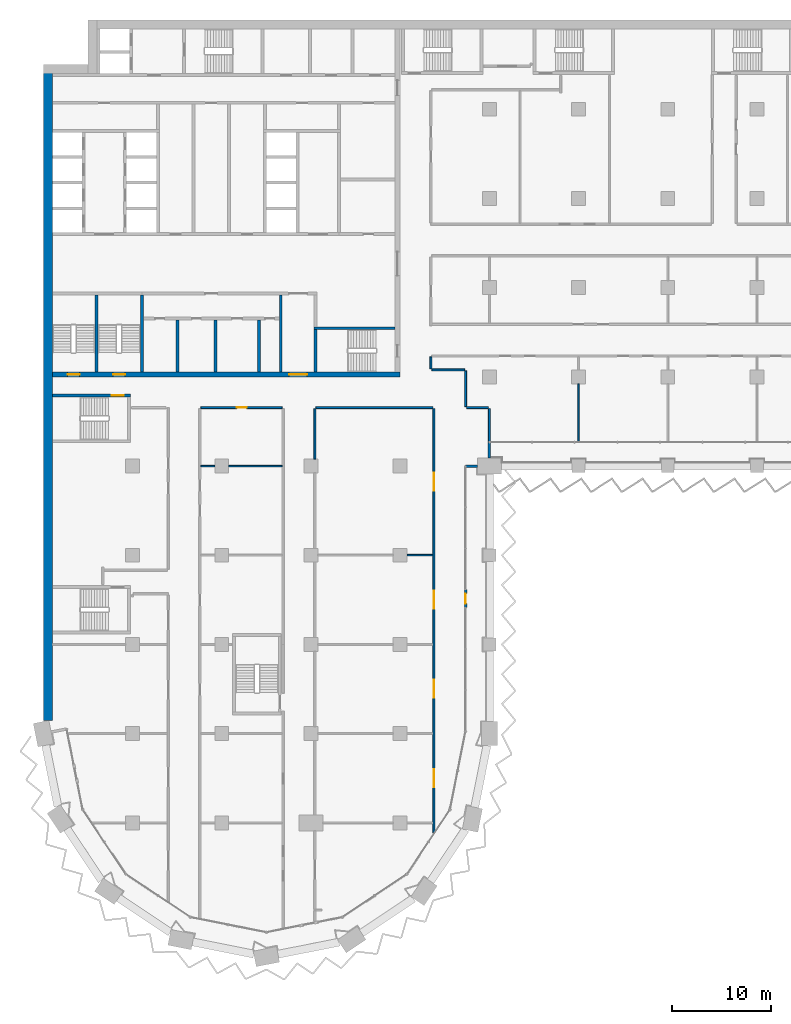
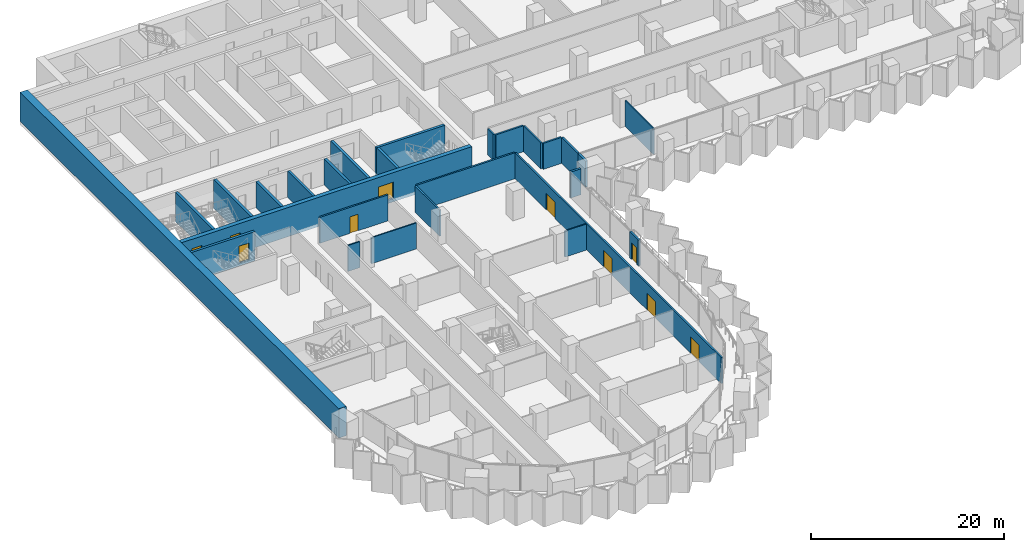
# One storey, part 12 of 28: 27 walls, 10 doors, 10 openings.
"""IFC4 building model written with IfcOpenShell, lengths in metres."""

import ifcopenshell
import ifcopenshell.guid

model = None  # the IFC model being written
_history = None  # IfcOwnerHistory: only IFC2X3 demands one
_inside = {}  # id of a spatial element -> (the spatial element, [elements in it])
_under = {}  # id of a project, library or spatial element -> (it, [spatial elements below it])
_declared = {}  # id of a project -> (the project, [libraries it declares])
_typed = {}  # id of a type object -> (the type object, [elements of that type])
_made_of = {}  # id of a material, layer set ... -> (it, [elements and type objects made of it])


def new_model(schema):
    """Start an empty IFC model of exactly this schema.

    Asked for "IFC4X3", IfcOpenShell would pick the latest addendum, in which some entities
    have other attributes; the version numbers below select the first issue.
    IFC2X3 requires an IfcOwnerHistory on every rooted entity: one is made here for all.
    """
    global model, _history
    if schema == "IFC4X3":
        model = ifcopenshell.file(schema_version=(4, 3, 0, 0))
    else:
        model = ifcopenshell.file(schema=schema)
    _inside.clear()
    _under.clear()
    _declared.clear()
    _typed.clear()
    _made_of.clear()
    _history = None
    if model.schema == "IFC2X3":
        org = make("IfcOrganization", Name="unknown")
        user = make(
            "IfcPersonAndOrganization",
            ThePerson=make("IfcPerson", FamilyName="unknown"),
            TheOrganization=org,
        )
        app = make(
            "IfcApplication",
            ApplicationDeveloper=org,
            Version="unknown",
            ApplicationFullName="unknown",
            ApplicationIdentifier="unknown",
        )
        _history = make(
            "IfcOwnerHistory",
            OwningUser=user,
            OwningApplication=app,
            ChangeAction="ADDED",
            CreationDate=0,
        )
    return model


def make(cls, **values):
    """One entity of the class cls with the attributes given. An attribute that is None is left unset."""
    return model.create_entity(
        cls, **{name: value for name, value in values.items() if value is not None}
    )


def rooted(cls, **values):
    """An entity with a GlobalId (a new one), such as an element, a storey or a relation."""
    return make(cls, GlobalId=ifcopenshell.guid.new(), OwnerHistory=_history, **values)


def si_unit(unit_type, name, prefix=None):
    """IfcSIUnit, for example si_unit("LENGTHUNIT", "METRE", prefix="MILLI")."""
    return make("IfcSIUnit", UnitType=unit_type, Prefix=prefix, Name=name)


def assignment(units):
    """IfcUnitAssignment: the units of a project."""
    return None if units is None else make("IfcUnitAssignment", Units=units)


def point(xyz):
    """IfcCartesianPoint."""
    return None if xyz is None else make("IfcCartesianPoint", Coordinates=xyz)


def direction(xyz):
    """IfcDirection."""
    return None if xyz is None else make("IfcDirection", DirectionRatios=xyz)


def frame(location, z_axis=None, x_axis=None):
    """IfcAxis2Placement3D, a coordinate frame: its origin and axes. An axis left out is left unset."""
    return make(
        "IfcAxis2Placement3D",
        Location=point(location),
        Axis=direction(z_axis),
        RefDirection=direction(x_axis),
    )


def frame_2d(location, x_axis=None):
    """IfcAxis2Placement2D, a coordinate frame in the plane: its origin and x axis."""
    return make(
        "IfcAxis2Placement2D", Location=point(location), RefDirection=direction(x_axis)
    )


def origin():
    """The frame at (0, 0, 0) with its axes left unset."""
    return frame((0.0, 0.0, 0.0))


def place(relative_to, where):
    """IfcLocalPlacement: puts the frame where relative to a parent placement (None: the world)."""
    return make(
        "IfcLocalPlacement", PlacementRelTo=relative_to, RelativePlacement=where
    )


def context(
    kind, dimensions, precision=None, world=None, true_north=None, identifier=None
):
    """IfcGeometricRepresentationContext, for example the 3D "Model" context."""
    return make(
        "IfcGeometricRepresentationContext",
        ContextIdentifier=identifier,
        ContextType=kind,
        CoordinateSpaceDimension=dimensions,
        Precision=precision,
        WorldCoordinateSystem=world,
        TrueNorth=true_north,
    )


def subcontext(parent, identifier, kind, view, scale=None):
    """IfcGeometricRepresentationSubContext, for example "Body" below "Model"."""
    return make(
        "IfcGeometricRepresentationSubContext",
        ContextIdentifier=identifier,
        ContextType=kind,
        ParentContext=parent,
        TargetScale=scale,
        TargetView=view,
    )


def project(units=None, contexts=None):
    """IfcProject with its units and contexts."""
    return rooted(
        "IfcProject",
        Name="project",
        RepresentationContexts=contexts,
        UnitsInContext=assignment(units),
    )


def spatial(cls, under=None, at=None, **own):
    """A site, building, storey or space (cls), placed at a placement, below another one or the project."""
    s = rooted(cls, ObjectPlacement=at, **own)
    if under is not None:
        _under.setdefault(under.id(), (under, []))[1].append(s)
    return s


def profile(cls, at=None, kind="AREA", **sizes):
    """A parametric profile (cls). Its sizes go by their IFC names, for example OverallWidth=200.0."""
    return make(cls, ProfileType=kind, Position=at, **sizes)


def rectangle(**sizes):
    """IfcRectangleProfileDef."""
    return profile("IfcRectangleProfileDef", **sizes)


def extrude(swept, where, along, depth):
    """IfcExtrudedAreaSolid: the profile swept, set in the frame where, extruded along a direction by depth."""
    return make(
        "IfcExtrudedAreaSolid",
        SweptArea=swept,
        Position=where,
        ExtrudedDirection=direction(along),
        Depth=depth,
    )


def shape(context_of_items, identifier, shape_type, items):
    """IfcShapeRepresentation: the items that make up one representation, for example the "Body"."""
    return make(
        "IfcShapeRepresentation",
        ContextOfItems=context_of_items,
        RepresentationIdentifier=identifier,
        RepresentationType=shape_type,
        Items=items,
    )


def material(Name=None, Category=None):
    """IfcMaterial."""
    return make("IfcMaterial", Name=Name, Category=Category)


def layer(
    of_material, thickness, ventilated=None, Name=None, Category=None, Priority=None
):
    """IfcMaterialLayer: one layer of a wall or slab, of a material (None: an air gap)."""
    return make(
        "IfcMaterialLayer",
        Material=of_material,
        LayerThickness=thickness,
        IsVentilated=ventilated,
        Name=Name,
        Category=Category,
        Priority=Priority,
    )


def layer_set(layers, Name=None):
    """IfcMaterialLayerSet."""
    return make("IfcMaterialLayerSet", MaterialLayers=layers, LayerSetName=Name)


def made_of(thing, what):
    """Note that an element or type object is made of a material, layer set ...; save() writes the relation."""
    if what is not None:
        _made_of.setdefault(what.id(), (what, []))[1].append(thing)
    return thing


def type_object(cls, material=None, **own):
    """A type object (cls), such as IfcWallType, which elements share."""
    return made_of(rooted(cls, **own), material)


def element(
    cls,
    number,
    at=None,
    inside=None,
    cuts=None,
    type_object=None,
    material=None,
    context=None,
    identifier="Body",
    shape_type=None,
    held_by="IfcProductDefinitionShape",
    body=None,
    shapes=None,
    **own,
):
    """One element of the class cls, such as IfcWall. Its Tag is "e" and its number.

    at: its placement. inside: the storey or other place that contains it. cuts: it is an
    opening in that element (IfcRelVoidsElement). A single representation is given by context,
    identifier, shape_type and body (its items); several are given by shapes. held_by: the class
    of the entity that holds the representations. save() writes the other relations.
    """
    e = rooted(cls, Tag="e%d" % number, ObjectPlacement=at, **own)
    if body is not None:
        shapes = [shape(context, identifier, shape_type, body)]
    if shapes is not None:
        e.Representation = make(held_by, Representations=shapes)
    if inside is not None:
        _inside.setdefault(inside.id(), (inside, []))[1].append(e)
    if cuts is not None:
        rooted(
            "IfcRelVoidsElement", RelatingBuildingElement=cuts, RelatedOpeningElement=e
        )
    if type_object is not None:
        _typed.setdefault(type_object.id(), (type_object, []))[1].append(e)
    return made_of(e, material)


def fill(opening, filler):
    """IfcRelFillsElement: the door or window that sits in an opening."""
    return rooted(
        "IfcRelFillsElement",
        RelatingOpeningElement=opening,
        RelatedBuildingElement=filler,
    )


def aggregate(whole, parts):
    """IfcRelAggregates: a whole, such as a stair, and the parts it consists of."""
    return rooted("IfcRelAggregates", RelatingObject=whole, RelatedObjects=parts)


def save(model, path):
    """Write the relations noted so far, then the file.

    IfcRelAggregates (storeys below a building ...), IfcRelContainedInSpatialStructure (elements
    in a storey), IfcRelDefinesByType, IfcRelAssociatesMaterial and IfcRelDeclares: one each for
    every whole, place, type object, material and project.
    """
    for whole, parts in _under.values():
        aggregate(whole, parts)
    for where, things in _inside.values():
        rooted(
            "IfcRelContainedInSpatialStructure",
            RelatedElements=things,
            RelatingStructure=where,
        )
    for kind, things in _typed.values():
        rooted("IfcRelDefinesByType", RelatedObjects=things, RelatingType=kind)
    for what, things in _made_of.values():
        rooted("IfcRelAssociatesMaterial", RelatedObjects=things, RelatingMaterial=what)
    for by, libraries in _declared.values():
        rooted("IfcRelDeclares", RelatingContext=by, RelatedDefinitions=libraries)
    model.write(path)


model = new_model("IFC4")

# Units and contexts
model_context = context("Model", 3, precision=1e-05, world=origin(), true_north=direction((0.0, 1.0)))
body_context = subcontext(model_context, "Body", "Model", "MODEL_VIEW")
ifc_project = project(units=[si_unit("LENGTHUNIT", "METRE"), si_unit("AREAUNIT", "SQUARE_METRE"), si_unit("VOLUMEUNIT", "CUBIC_METRE"), si_unit("PLANEANGLEUNIT", "RADIAN"), si_unit("MASSUNIT", "GRAM", prefix="KILO")], contexts=[model_context])

# Site, building, storey
site_placement = place(None, origin())
site = spatial("IfcSite", under=ifc_project, at=site_placement, CompositionType="ELEMENT")
building_placement = place(site_placement, origin())
building = spatial("IfcBuilding", under=site, at=building_placement, Name="Hunhe Ridgeline Campus", CompositionType="ELEMENT")
storey_placement = place(building_placement, frame((0.0, 0.0, 72.800048828125)))
storey = spatial("IfcBuildingStorey", under=building, at=storey_placement, Name="L17", CompositionType="ELEMENT", Elevation=72.800048828125)

# Walls
ifc_material_1 = material(Name="Masonry concrete blockwork", Category="masonry")
ifc_layer_1 = layer(ifc_material_1, 0.300048828125)
ifc_layer_set_1 = layer_set([ifc_layer_1], Name="Core room partition 300 concrete block")
wall_type_1 = type_object("IfcWallType", Name="Core room partition 300 concrete block", PredefinedType="PARTITIONING", material=ifc_layer_set_1)
for number, where, z_axis, x_axis, name in (
    (1, (13.550048828125, 63.5, 0.0), (0.0, 0.0, 1.0), (0.0, 1.0, 0.0), "L17 core partition 45"),
    (2, (17.35009765625, 63.5, 0.0), (0.0, 0.0, 1.0), (0.0, 1.0, 0.0), "L17 core partition 48"),
    (3, (21.75, 63.5, 0.0), (0.0, 0.0, 1.0), (0.0, 1.0, 0.0), "L17 core partition 51"),
):
    element("IfcWall", number, at=place(storey_placement, frame(where, z_axis=z_axis, x_axis=x_axis)), inside=storey, type_object=wall_type_1, Name=name, PredefinedType="PARTITIONING", context=body_context, shape_type="SweptSolid", body=[
        extrude(rectangle(XDim=5.25, YDim=0.300048828125, at=frame_2d((2.625, 0.0))), origin(), (0.0, 0.0, 1.0), 3.300048828125),
    ])
wall_1_placement = place(storey_placement, frame((23.949951171875, 63.5, 0.0), z_axis=(0.0, 0.0, 1.0), x_axis=(0.0, 1.0, 0.0)))
element("IfcWall", 4, at=wall_1_placement, inside=storey, type_object=wall_type_1, Name="L17 core partition 56", PredefinedType="PARTITIONING", context=body_context, shape_type="SweptSolid", body=[
    extrude(rectangle(XDim=7.75, YDim=0.300048828125, at=frame_2d((3.875, 0.0))), origin(), (0.0, 0.0, 1.0), 3.300048828125),
])

# Wall, openings, doors
ifc_material_2 = material(Name="Concrete C80", Category="concrete")
ifc_layer_2 = layer(ifc_material_2, 0.5)
ifc_layer_set_2 = layer_set([ifc_layer_2], Name="Core wall 500 reinforced concrete C80")
wall_type_2 = type_object("IfcWallType", Name="Core wall 500 reinforced concrete C80", PredefinedType="SOLIDWALL", material=ifc_layer_set_2)
wall_2_placement = place(storey_placement, frame((0.89990234375, 63.25, -0.400146484375), z_axis=(0.0, 0.0, 1.0), x_axis=(1.0, 0.0, 0.0)))
wall_2 = element("IfcWall", 5, at=wall_2_placement, inside=storey, type_object=wall_type_2, Name="L17 core wall 7", PredefinedType="SOLIDWALL", context=body_context, shape_type="SweptSolid", body=[
    extrude(rectangle(XDim=35.10009765625, YDim=0.5, at=frame_2d((17.550048828125, 0.0))), origin(), (0.0, 0.0, 1.0), 3.7001953125),
])
opening_1_placement = place(wall_2_placement, frame((23.89990234375, 0.0, 0.39990234375)))
opening_1 = element("IfcOpeningElement", 6, at=opening_1_placement, cuts=wall_2, Name="Opening CD6", PredefinedType="OPENING", context=body_context, shape_type="SweptSolid", body=[
    extrude(rectangle(XDim=1.800048828125, YDim=2.10009765625, at=frame_2d((0.89990234375, 1.050048828125))), frame((0.0, 0.25, 0.0), z_axis=(0.0, -1.0, 0.0), x_axis=(1.0, 0.0, 0.0)), (0.0, 0.0, 1.0), 0.5),
])
opening_2_placement = place(wall_2_placement, frame((1.550048828125, 0.0, 0.39990234375)))
opening_2 = element("IfcOpeningElement", 7, at=opening_2_placement, cuts=wall_2, Name="Opening CD13", PredefinedType="OPENING", context=body_context, shape_type="SweptSolid", body=[
    extrude(rectangle(XDim=1.199951171875, YDim=2.10009765625, at=frame_2d((0.60009765625, 1.050048828125))), frame((0.0, 0.25, 0.0), z_axis=(0.0, -1.0, 0.0), x_axis=(1.0, 0.0, 0.0)), (0.0, 0.0, 1.0), 0.5),
])
opening_3_placement = place(wall_2_placement, frame((6.14990234375, 0.0, 0.39990234375)))
opening_3 = element("IfcOpeningElement", 8, at=opening_3_placement, cuts=wall_2, Name="Opening CD14", PredefinedType="OPENING", context=body_context, shape_type="SweptSolid", body=[
    extrude(rectangle(XDim=1.199951171875, YDim=2.10009765625, at=frame_2d((0.60009765625, 1.050048828125))), frame((0.0, 0.25, 0.0), z_axis=(0.0, -1.0, 0.0), x_axis=(1.0, 0.0, 0.0)), (0.0, 0.0, 1.0), 0.5),
])
ifc_material_3 = material(Name="Anodised aluminium and glass", Category="aluminium")
door_type_1 = type_object("IfcDoorType", Name="Glazed double door 1800x2100", OperationType="DOUBLE_DOOR_SINGLE_SWING", PredefinedType="DOOR", material=ifc_material_3)
door_1_placement = place(opening_1_placement, frame((1.800048828125, 0.0, 0.0), z_axis=(0.0, 0.0, 1.0), x_axis=(-1.0, 0.0, 0.0)))
door_1 = element("IfcDoor", 9, at=door_1_placement, inside=storey, type_object=door_type_1, Name="L17 door VEST-FLOOR", OperationType="DOUBLE_DOOR_SINGLE_SWING", OverallHeight=2.10009765625, OverallWidth=1.800048828125, PredefinedType="DOOR", context=body_context, shape_type="SweptSolid", body=[
    extrude(rectangle(XDim=1.800048828125, YDim=2.10009765625, at=frame_2d((0.89990234375, 1.050048828125))), frame((0.0, 0.02490234375, 0.0), z_axis=(0.0, -1.0, 0.0), x_axis=(1.0, 0.0, 0.0)), (0.0, 0.0, 1.0), 0.050048828125),
])
fill(opening_1, door_1)
ifc_material_4 = material(Name="Hollow metal fire door leaf")
door_type_2 = type_object("IfcDoorType", Name="Stair door 1200x2100 FD60", OperationType="SINGLE_SWING_LEFT", PredefinedType="DOOR", material=ifc_material_4)
door_2_placement = place(opening_2_placement, frame((1.199951171875, 0.0, 0.0), z_axis=(0.0, 0.0, 1.0), x_axis=(-1.0, 0.0, 0.0)))
door_2 = element("IfcDoor", 10, at=door_2_placement, inside=storey, type_object=door_type_2, Name="L17 door S3", OperationType="SINGLE_SWING_RIGHT", OverallHeight=2.10009765625, OverallWidth=1.199951171875, PredefinedType="DOOR", context=body_context, shape_type="SweptSolid", body=[
    extrude(rectangle(XDim=1.199951171875, YDim=2.10009765625, at=frame_2d((0.60009765625, 1.050048828125))), frame((0.0, 0.02490234375, 0.0), z_axis=(0.0, -1.0, 0.0), x_axis=(1.0, 0.0, 0.0)), (0.0, 0.0, 1.0), 0.050048828125),
])
fill(opening_2, door_2)
door_3_placement = place(opening_3_placement, frame((1.199951171875, 0.0, 0.0), z_axis=(0.0, 0.0, 1.0), x_axis=(-1.0, 0.0, 0.0)))
door_3 = element("IfcDoor", 11, at=door_3_placement, inside=storey, type_object=door_type_2, Name="L17 door S4", OperationType="SINGLE_SWING_LEFT", OverallHeight=2.10009765625, OverallWidth=1.199951171875, PredefinedType="DOOR", context=body_context, shape_type="SweptSolid", body=[
    extrude(rectangle(XDim=1.199951171875, YDim=2.10009765625, at=frame_2d((0.60009765625, 1.050048828125))), frame((0.0, 0.02490234375, 0.0), z_axis=(0.0, -1.0, 0.0), x_axis=(1.0, 0.0, 0.0)), (0.0, 0.0, 1.0), 0.050048828125),
])
fill(opening_3, door_3)

# Walls
ifc_material_5 = material(Name="Concrete C30", Category="concrete")
ifc_layer_3 = layer(ifc_material_5, 0.25)
ifc_layer_set_3 = layer_set([ifc_layer_3], Name="Corner return wall 250 Concrete C30")
wall_type_3 = type_object("IfcWallType", Name="Corner return wall 250 Concrete C30", PredefinedType="SOLIDWALL", material=ifc_layer_set_3)
wall_3_placement = place(storey_placement, frame((42.59912109375, 54.0, 0.0), z_axis=(0.0, 0.0, 1.0), x_axis=(0.999999917344, 0.000406586671, 0.0)))
element("IfcWall", 12, at=wall_3_placement, inside=storey, type_object=wall_type_3, Name="Corner return wall 2", PredefinedType="SOLIDWALL", context=body_context, shape_type="SweptSolid", body=[
    extrude(rectangle(XDim=1.200927734375, YDim=0.25, at=frame_2d((0.6005859375, 0.0))), origin(), (0.0, 0.0, 1.0), 3.300048828125),
])
wall_4_placement = place(storey_placement, frame((44.999267578125, 54.800048828125, 0.0), z_axis=(0.0, 0.0, 1.0), x_axis=(0.000152508767, 0.999999988371, 0.0)))
element("IfcWall", 13, at=wall_4_placement, inside=storey, type_object=wall_type_3, Name="Corner return wall 3", PredefinedType="SOLIDWALL", context=body_context, shape_type="SweptSolid", body=[
    extrude(rectangle(XDim=1.600830078125, YDim=0.25, at=frame_2d((0.80029296875, 0.0))), origin(), (0.0, 0.0, 1.0), 3.300048828125),
])

# Wall, opening, door
ifc_material_6 = material(Name="Gypsum board partition")
ifc_layer_4 = layer(ifc_material_6, 0.199951171875)
ifc_layer_set_4 = layer_set([ifc_layer_4], Name="Corridor partition 200 gypsum board on steel studs")
wall_type_4 = type_object("IfcWallType", Name="Corridor partition 200 gypsum board on steel studs", PredefinedType="PARTITIONING", material=ifc_layer_set_4)
wall_5_placement = place(storey_placement, frame((24.10009765625, 59.89990234375, 0.0), z_axis=(0.0, 0.0, 1.0), x_axis=(-1.0, 0.0, 0.0)))
wall_5 = element("IfcWall", 14, at=wall_5_placement, inside=storey, type_object=wall_type_4, Name="F-L17-wall-029", PredefinedType="PARTITIONING", context=body_context, shape_type="SweptSolid", body=[
    extrude(rectangle(XDim=8.2001953125, YDim=0.199951171875, at=frame_2d((4.10009765625, 0.0))), origin(), (0.0, 0.0, 1.0), 3.300048828125),
])
opening_4_placement = place(wall_5_placement, frame((3.60009765625, 0.0, 0.0)))
opening_4 = element("IfcOpeningElement", 15, at=opening_4_placement, cuts=wall_5, Name="Opening RD1-019", PredefinedType="OPENING", context=body_context, shape_type="SweptSolid", body=[
    extrude(rectangle(XDim=1.0, YDim=2.10009765625, at=frame_2d((0.5, 1.050048828125))), frame((0.0, 0.10009765625, 0.0), z_axis=(0.0, -1.0, 0.0), x_axis=(1.0, 0.0, 0.0)), (0.0, 0.0, 1.0), 0.199951171875),
])
ifc_material_7 = material(Name="Timber door leaf", Category="wood")
door_type_3 = type_object("IfcDoorType", Name="Single fire door 1000x2100 timber FD60", OperationType="NOTDEFINED", PredefinedType="DOOR", material=ifc_material_7)
door_4_placement = place(opening_4_placement, origin())
door_4 = element("IfcDoor", 16, at=door_4_placement, inside=storey, type_object=door_type_3, Name="F-L17-door-019", OperationType="SINGLE_SWING_LEFT", OverallHeight=2.10009765625, OverallWidth=1.0, PredefinedType="DOOR", context=body_context, shape_type="SweptSolid", body=[
    extrude(rectangle(XDim=1.0, YDim=2.10009765625, at=frame_2d((0.5, 1.050048828125))), frame((0.0, 0.02490234375, 0.0), z_axis=(0.0, -1.0, 0.0), x_axis=(1.0, 0.0, 0.0)), (0.0, 0.0, 1.0), 0.050048828125),
])
fill(opening_4, door_4)

# Walls
wall_6_placement = place(storey_placement, frame((39.300048828125, 59.89990234375, 0.0), z_axis=(0.0, 0.0, 1.0), x_axis=(-1.0, 0.0, 0.0)))
element("IfcWall", 17, at=wall_6_placement, inside=storey, type_object=wall_type_4, Name="F-L17-wall-030", PredefinedType="PARTITIONING", context=body_context, shape_type="SweptSolid", body=[
    extrude(rectangle(XDim=11.800048828125, YDim=0.199951171875, at=frame_2d((5.89990234375, 0.0))), origin(), (0.0, 0.0, 1.0), 3.300048828125),
])
wall_7_placement = place(storey_placement, frame((42.699951171875, 59.89990234375, 0.0), z_axis=(0.0, 0.0, 1.0), x_axis=(1.0, 0.0, 0.0)))
element("IfcWall", 18, at=wall_7_placement, inside=storey, type_object=wall_type_4, Name="F-L17-wall-031", PredefinedType="PARTITIONING", context=body_context, shape_type="SweptSolid", body=[
    extrude(rectangle(XDim=2.199951171875, YDim=0.199951171875, at=frame_2d((1.10009765625, 0.0))), origin(), (0.0, 0.0, 1.0), 3.300048828125),
])
wall_8_placement = place(storey_placement, frame((39.199951171875, 63.699951171875, 0.0), z_axis=(0.0, 0.0, 1.0), x_axis=(1.0, 0.0, 0.0)))
element("IfcWall", 19, at=wall_8_placement, inside=storey, type_object=wall_type_4, Name="F-L17-wall-032", PredefinedType="PARTITIONING", context=body_context, shape_type="SweptSolid", body=[
    extrude(rectangle(XDim=3.300048828125, YDim=0.199951171875, at=frame_2d((1.64990234375, 0.0))), origin(), (0.0, 0.0, 1.0), 3.300048828125),
])
wall_9_placement = place(storey_placement, frame((27.39990234375, 59.800048828125, 0.0), z_axis=(0.0, 0.0, 1.0), x_axis=(0.0, -1.0, 0.0)))
element("IfcWall", 20, at=wall_9_placement, inside=storey, type_object=wall_type_4, Name="F-L17-wall-059", PredefinedType="PARTITIONING", context=body_context, shape_type="SweptSolid", body=[
    extrude(rectangle(XDim=5.10009765625, YDim=0.199951171875, at=frame_2d((2.550048828125, 0.0))), origin(), (0.0, 0.0, 1.0), 3.300048828125),
])
wall_10_placement = place(storey_placement, frame((39.10009765625, 65.0, 0.0), z_axis=(0.0, 0.0, 1.0), x_axis=(0.0, -1.0, 0.0)))
element("IfcWall", 21, at=wall_10_placement, inside=storey, type_object=wall_type_4, Name="F-L17-wall-060", PredefinedType="PARTITIONING", context=body_context, shape_type="SweptSolid", body=[
    extrude(rectangle(XDim=1.199951171875, YDim=0.199951171875, at=frame_2d((0.60009765625, 0.0))), origin(), (0.0, 0.0, 1.0), 3.300048828125),
])

# Wall, openings, doors
wall_11_placement = place(storey_placement, frame((39.39990234375, 16.99072265625, 0.0), z_axis=(0.0, 0.0, 1.0), x_axis=(0.0, 1.0, 0.0)))
wall_11 = element("IfcWall", 22, at=wall_11_placement, inside=storey, type_object=wall_type_4, Name="F-L17-wall-063", PredefinedType="PARTITIONING", context=body_context, shape_type="SweptSolid", body=[
    extrude(rectangle(XDim=42.809326171875, YDim=0.199951171875, at=frame_2d((21.40478515625, 0.0))), origin(), (0.0, 0.0, 1.0), 3.300048828125),
])
opening_5_placement = place(wall_11_placement, frame((4.607666015625, 0.0, 0.0)))
opening_5 = element("IfcOpeningElement", 23, at=opening_5_placement, cuts=wall_11, Name="Opening RD2-006", PredefinedType="OPENING", context=body_context, shape_type="SweptSolid", body=[
    extrude(rectangle(XDim=1.800048828125, YDim=2.10009765625, at=frame_2d((0.89990234375, 1.050048828125))), frame((0.0, 0.10009765625, 0.0), z_axis=(0.0, -1.0, 0.0), x_axis=(1.0, 0.0, 0.0)), (0.0, 0.0, 1.0), 0.199951171875),
])
opening_6_placement = place(wall_11_placement, frame((13.6201171875, 0.0, 0.0)))
opening_6 = element("IfcOpeningElement", 24, at=opening_6_placement, cuts=wall_11, Name="Opening RD2-010", PredefinedType="OPENING", context=body_context, shape_type="SweptSolid", body=[
    extrude(rectangle(XDim=1.800048828125, YDim=2.10009765625, at=frame_2d((0.89990234375, 1.050048828125))), frame((0.0, 0.10009765625, 0.0), z_axis=(0.0, -1.0, 0.0), x_axis=(1.0, 0.0, 0.0)), (0.0, 0.0, 1.0), 0.199951171875),
])
opening_7_placement = place(wall_11_placement, frame((22.632568359375, 0.0, 0.0)))
opening_7 = element("IfcOpeningElement", 25, at=opening_7_placement, cuts=wall_11, Name="Opening RD2-013", PredefinedType="OPENING", context=body_context, shape_type="SweptSolid", body=[
    extrude(rectangle(XDim=1.800048828125, YDim=2.10009765625, at=frame_2d((0.89990234375, 1.050048828125))), frame((0.0, 0.10009765625, 0.0), z_axis=(0.0, -1.0, 0.0), x_axis=(1.0, 0.0, 0.0)), (0.0, 0.0, 1.0), 0.199951171875),
])
opening_8_placement = place(wall_11_placement, frame((34.52392578125, 0.0, 0.0)))
opening_8 = element("IfcOpeningElement", 26, at=opening_8_placement, cuts=wall_11, Name="Opening RD2-017", PredefinedType="OPENING", context=body_context, shape_type="SweptSolid", body=[
    extrude(rectangle(XDim=1.800048828125, YDim=2.10009765625, at=frame_2d((0.89990234375, 1.050048828125))), frame((0.0, 0.10009765625, 0.0), z_axis=(0.0, -1.0, 0.0), x_axis=(1.0, 0.0, 0.0)), (0.0, 0.0, 1.0), 0.199951171875),
])
door_type_4 = type_object("IfcDoorType", Name="Double fire door 1800x2100 timber FD60", OperationType="DOUBLE_DOOR_SINGLE_SWING", PredefinedType="DOOR", material=ifc_material_7)
door_5_placement = place(opening_5_placement, origin())
door_5 = element("IfcDoor", 27, at=door_5_placement, inside=storey, type_object=door_type_4, Name="F-L17-door-006", OperationType="DOUBLE_DOOR_SINGLE_SWING", OverallHeight=2.10009765625, OverallWidth=1.800048828125, PredefinedType="DOOR", context=body_context, shape_type="SweptSolid", body=[
    extrude(rectangle(XDim=1.800048828125, YDim=2.10009765625, at=frame_2d((0.89990234375, 1.050048828125))), frame((0.0, 0.02490234375, 0.0), z_axis=(0.0, -1.0, 0.0), x_axis=(1.0, 0.0, 0.0)), (0.0, 0.0, 1.0), 0.050048828125),
])
fill(opening_5, door_5)
door_6_placement = place(opening_6_placement, origin())
door_6 = element("IfcDoor", 28, at=door_6_placement, inside=storey, type_object=door_type_4, Name="F-L17-door-010", OperationType="DOUBLE_DOOR_SINGLE_SWING", OverallHeight=2.10009765625, OverallWidth=1.800048828125, PredefinedType="DOOR", context=body_context, shape_type="SweptSolid", body=[
    extrude(rectangle(XDim=1.800048828125, YDim=2.10009765625, at=frame_2d((0.89990234375, 1.050048828125))), frame((0.0, 0.02490234375, 0.0), z_axis=(0.0, -1.0, 0.0), x_axis=(1.0, 0.0, 0.0)), (0.0, 0.0, 1.0), 0.050048828125),
])
fill(opening_6, door_6)
door_7_placement = place(opening_7_placement, origin())
door_7 = element("IfcDoor", 29, at=door_7_placement, inside=storey, type_object=door_type_4, Name="F-L17-door-013", OperationType="DOUBLE_DOOR_SINGLE_SWING", OverallHeight=2.10009765625, OverallWidth=1.800048828125, PredefinedType="DOOR", context=body_context, shape_type="SweptSolid", body=[
    extrude(rectangle(XDim=1.800048828125, YDim=2.10009765625, at=frame_2d((0.89990234375, 1.050048828125))), frame((0.0, 0.02490234375, 0.0), z_axis=(0.0, -1.0, 0.0), x_axis=(1.0, 0.0, 0.0)), (0.0, 0.0, 1.0), 0.050048828125),
])
fill(opening_7, door_7)
door_8_placement = place(opening_8_placement, origin())
door_8 = element("IfcDoor", 30, at=door_8_placement, inside=storey, type_object=door_type_4, Name="F-L17-door-017", OperationType="DOUBLE_DOOR_SINGLE_SWING", OverallHeight=2.10009765625, OverallWidth=1.800048828125, PredefinedType="DOOR", context=body_context, shape_type="SweptSolid", body=[
    extrude(rectangle(XDim=1.800048828125, YDim=2.10009765625, at=frame_2d((0.89990234375, 1.050048828125))), frame((0.0, 0.02490234375, 0.0), z_axis=(0.0, -1.0, 0.0), x_axis=(1.0, 0.0, 0.0)), (0.0, 0.0, 1.0), 0.050048828125),
])
fill(opening_8, door_8)

# Walls
wall_12_placement = place(storey_placement, frame((42.60009765625, 63.60009765625, 0.0), z_axis=(0.0, 0.0, 1.0), x_axis=(0.0, -1.0, 0.0)))
element("IfcWall", 31, at=wall_12_placement, inside=storey, type_object=wall_type_4, Name="F-L17-wall-064", PredefinedType="PARTITIONING", context=body_context, shape_type="SweptSolid", body=[
    extrude(rectangle(XDim=3.60009765625, YDim=0.199951171875, at=frame_2d((1.800048828125, 0.0))), origin(), (0.0, 0.0, 1.0), 3.300048828125),
])
wall_13_placement = place(storey_placement, frame((45.0, 59.800048828125, 0.0), z_axis=(0.0, 0.0, 1.0), x_axis=(0.0, -1.0, 0.0)))
element("IfcWall", 32, at=wall_13_placement, inside=storey, type_object=wall_type_4, Name="F-L17-wall-065", PredefinedType="PARTITIONING", context=body_context, shape_type="SweptSolid", body=[
    extrude(rectangle(XDim=3.34521484375, YDim=0.199951171875, at=frame_2d((1.672607421875, 0.0))), origin(), (0.0, 0.0, 1.0), 3.300048828125),
])

# Wall, opening, door
ifc_layer_5 = layer(ifc_material_5, 0.25)
ifc_layer_set_5 = layer_set([ifc_layer_5], Name="Loggia door pier wall 250 Concrete C30")
wall_type_5 = type_object("IfcWallType", Name="Loggia door pier wall 250 Concrete C30", PredefinedType="SOLIDWALL", material=ifc_layer_set_5)
wall_14_placement = place(storey_placement, frame((42.59912109375, 39.71826171875, 0.0), z_axis=(0.0, 0.0, 1.0), x_axis=(0.0, 1.0, 0.0)))
wall_14 = element("IfcWall", 33, at=wall_14_placement, inside=storey, type_object=wall_type_5, Name="Loggia door pier 3", PredefinedType="SOLIDWALL", context=body_context, shape_type="SweptSolid", body=[
    extrude(rectangle(XDim=1.800048828125, YDim=0.25, at=frame_2d((0.89990234375, 0.0))), origin(), (0.0, 0.0, 1.0), 3.300048828125),
])
opening_9_placement = place(wall_14_placement, frame((0.39990234375, 0.0, 0.0)))
opening_9 = element("IfcOpeningElement", 34, at=opening_9_placement, cuts=wall_14, Name="Opening BD105", PredefinedType="OPENING", context=body_context, shape_type="SweptSolid", body=[
    extrude(rectangle(XDim=1.0, YDim=2.10009765625, at=frame_2d((0.5, 1.050048828125))), frame((0.0, 0.125, 0.0), z_axis=(0.0, -1.0, 0.0), x_axis=(1.0, 0.0, 0.0)), (0.0, 0.0, 1.0), 0.25),
])
ifc_material_8 = material(Name="Aluminium 6063", Category="aluminium")
door_type_5 = type_object("IfcDoorType", Name="Loggia glazed door 1000x2100", OperationType="NOTDEFINED", PredefinedType="DOOR", material=ifc_material_8)
door_9_placement = place(opening_9_placement, frame((1.0, 0.0, 0.0), z_axis=(0.0, 0.0, 1.0), x_axis=(-1.0, 0.0, 0.0)))
door_9 = element("IfcDoor", 35, at=door_9_placement, inside=storey, type_object=door_type_5, Name="Loggia door BD105", OperationType="SINGLE_SWING_RIGHT", OverallHeight=2.10009765625, OverallWidth=1.0, PredefinedType="DOOR", context=body_context, shape_type="SweptSolid", body=[
    extrude(rectangle(XDim=1.0, YDim=2.10009765625, at=frame_2d((0.5, 1.050048828125))), frame((0.0, 0.02490234375, 0.0), z_axis=(0.0, -1.0, 0.0), x_axis=(1.0, 0.0, 0.0)), (0.0, 0.0, 1.0), 0.050048828125),
])
fill(opening_9, door_9)

# Walls
ifc_layer_6 = layer(ifc_material_6, 0.14990234375)
ifc_layer_set_6 = layer_set([ifc_layer_6], Name="Room partition 150 gypsum board on steel studs")
wall_type_6 = type_object("IfcWallType", Name="Room partition 150 gypsum board on steel studs", PredefinedType="PARTITIONING", material=ifc_layer_set_6)
wall_15_placement = place(storey_placement, frame((36.699951171875, 45.0, 0.0), z_axis=(0.0, 0.0, 1.0), x_axis=(1.0, 0.0, 0.0)))
element("IfcWall", 36, at=wall_15_placement, inside=storey, type_object=wall_type_6, Name="F-L17-wall-025", PredefinedType="PARTITIONING", context=body_context, shape_type="SweptSolid", body=[
    extrude(rectangle(XDim=2.60009765625, YDim=0.14990234375, at=frame_2d((1.300048828125, 0.0))), origin(), (0.0, 0.0, 1.0), 3.300048828125),
])
wall_16_placement = place(storey_placement, frame((15.89990234375, 54.0, 0.0), z_axis=(0.0, 0.0, 1.0), x_axis=(1.0, 0.0, 0.0)))
element("IfcWall", 37, at=wall_16_placement, inside=storey, type_object=wall_type_6, Name="F-L17-wall-026", PredefinedType="PARTITIONING", context=body_context, shape_type="SweptSolid", body=[
    extrude(rectangle(XDim=1.400146484375, YDim=0.14990234375, at=frame_2d((0.7001953125, 0.0))), origin(), (0.0, 0.0, 1.0), 3.300048828125),
])
wall_17_placement = place(storey_placement, frame((18.699951171875, 54.0, 0.0), z_axis=(0.0, 0.0, 1.0), x_axis=(1.0, 0.0, 0.0)))
element("IfcWall", 38, at=wall_17_placement, inside=storey, type_object=wall_type_6, Name="F-L17-wall-027", PredefinedType="PARTITIONING", context=body_context, shape_type="SweptSolid", body=[
    extrude(rectangle(XDim=5.400146484375, YDim=0.14990234375, at=frame_2d((2.7001953125, 0.0))), origin(), (0.0, 0.0, 1.0), 3.300048828125),
])
wall_18_placement = place(storey_placement, frame((54.0, 62.300048828125, 0.0), z_axis=(0.0, 0.0, 1.0), x_axis=(0.0, -1.0, 0.0)))
element("IfcWall", 39, at=wall_18_placement, inside=storey, type_object=wall_type_6, Name="F-L17-wall-071", PredefinedType="PARTITIONING", context=body_context, shape_type="SweptSolid", body=[
    extrude(rectangle(XDim=5.84521484375, YDim=0.14990234375, at=frame_2d((2.922607421875, 0.0))), origin(), (0.0, 0.0, 1.0), 3.300048828125),
])
ifc_layer_7 = layer(ifc_material_2, 0.89990234375)
ifc_layer_set_7 = layer_set([ifc_layer_7], Name="Spine wall 900 Concrete C80")
wall_type_7 = type_object("IfcWallType", Name="Spine wall 900 Concrete C80", PredefinedType="SHEAR", material=ifc_layer_set_7)
wall_19_placement = place(storey_placement, frame((0.449951171875, 94.5, 0.0), z_axis=(0.0, 0.0, 1.0), x_axis=(0.0, -1.0, 0.0)))
element("IfcWall", 40, at=wall_19_placement, inside=storey, type_object=wall_type_7, Name="Spine wall SW1-1 L17", PredefinedType="SHEAR", context=body_context, shape_type="SweptSolid", body=[
    extrude(rectangle(XDim=66.18701171875, YDim=0.89990234375, at=frame_2d((33.093505859375, 0.0))), origin(), (0.0, 0.0, 1.0), 3.699951171875),
])

# Wall, opening, door
ifc_layer_8 = layer(ifc_material_2, 0.300048828125)
ifc_layer_set_8 = layer_set([ifc_layer_8], Name="Stair wall 300 reinforced concrete C80")
wall_type_8 = type_object("IfcWallType", Name="Stair wall 300 reinforced concrete C80", PredefinedType="SOLIDWALL", material=ifc_layer_set_8)
wall_20_placement = place(storey_placement, frame((0.89990234375, 61.10009765625, -0.400146484375), z_axis=(0.0, 0.0, 1.0), x_axis=(1.0, 0.0, 0.0)))
wall_20 = element("IfcWall", 41, at=wall_20_placement, inside=storey, type_object=wall_type_8, Name="L17 core wall 6", PredefinedType="SOLIDWALL", context=body_context, shape_type="SweptSolid", body=[
    extrude(rectangle(XDim=7.900146484375, YDim=0.300048828125, at=frame_2d((3.9501953125, 0.0))), origin(), (0.0, 0.0, 1.0), 3.7001953125),
])
opening_10_placement = place(wall_20_placement, frame((6.0, 0.0, 0.39990234375)))
opening_10 = element("IfcOpeningElement", 42, at=opening_10_placement, cuts=wall_20, Name="Opening CD22", PredefinedType="OPENING", context=body_context, shape_type="SweptSolid", body=[
    extrude(rectangle(XDim=1.199951171875, YDim=2.10009765625, at=frame_2d((0.60009765625, 1.050048828125))), frame((0.0, 0.14990234375, 0.0), z_axis=(0.0, -1.0, 0.0), x_axis=(1.0, 0.0, 0.0)), (0.0, 0.0, 1.0), 0.300048828125),
])
door_10_placement = place(opening_10_placement, origin())
door_10 = element("IfcDoor", 43, at=door_10_placement, inside=storey, type_object=door_type_2, Name="L17 door W2", OperationType="SINGLE_SWING_RIGHT", OverallHeight=2.10009765625, OverallWidth=1.199951171875, PredefinedType="DOOR", context=body_context, shape_type="SweptSolid", body=[
    extrude(rectangle(XDim=1.199951171875, YDim=2.10009765625, at=frame_2d((0.60009765625, 1.050048828125))), frame((0.0, 0.02490234375, 0.0), z_axis=(0.0, -1.0, 0.0), x_axis=(1.0, 0.0, 0.0)), (0.0, 0.0, 1.0), 0.050048828125),
])
fill(opening_10, door_10)

# Walls
wall_21_placement = place(storey_placement, frame((27.300048828125, 67.89990234375, -0.400146484375), z_axis=(0.0, 0.0, 1.0), x_axis=(1.0, 0.0, 0.0)))
element("IfcWall", 44, at=wall_21_placement, inside=storey, type_object=wall_type_8, Name="L17 core wall 9", PredefinedType="SOLIDWALL", context=body_context, shape_type="SweptSolid", body=[
    extrude(rectangle(XDim=8.199951171875, YDim=0.300048828125, at=frame_2d((4.10009765625, 0.0))), origin(), (0.0, 0.0, 1.0), 3.7001953125),
])
for number, where, z_axis, x_axis, name in (
    (45, (5.35009765625, 63.5, -0.400146484375), (0.0, 0.0, 1.0), (0.0, 1.0, 0.0), "L17 core wall 36"),
    (46, (9.949951171875, 63.5, -0.400146484375), (0.0, 0.0, 1.0), (0.0, 1.0, 0.0), "L17 core wall 42"),
):
    element("IfcWall", number, at=place(storey_placement, frame(where, z_axis=z_axis, x_axis=x_axis)), inside=storey, type_object=wall_type_8, Name=name, PredefinedType="SOLIDWALL", context=body_context, shape_type="SweptSolid", body=[
        extrude(rectangle(XDim=7.75, YDim=0.300048828125, at=frame_2d((3.875, 0.0))), origin(), (0.0, 0.0, 1.0), 3.7001953125),
    ])
wall_22_placement = place(storey_placement, frame((27.449951171875, 63.5, -0.400146484375), z_axis=(0.0, 0.0, 1.0), x_axis=(0.0, 1.0, 0.0)))
element("IfcWall", 47, at=wall_22_placement, inside=storey, type_object=wall_type_8, Name="L17 core wall 59", PredefinedType="SOLIDWALL", context=body_context, shape_type="SweptSolid", body=[
    extrude(rectangle(XDim=4.25, YDim=0.300048828125, at=frame_2d((2.125, 0.0))), origin(), (0.0, 0.0, 1.0), 3.7001953125),
])

save(model, "model.ifc")
